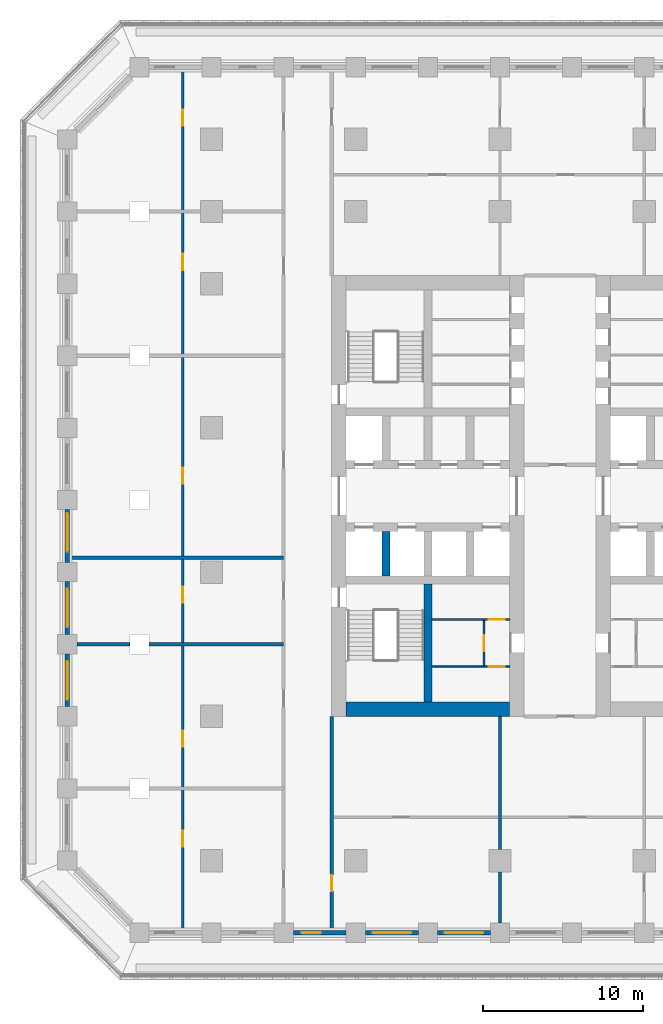
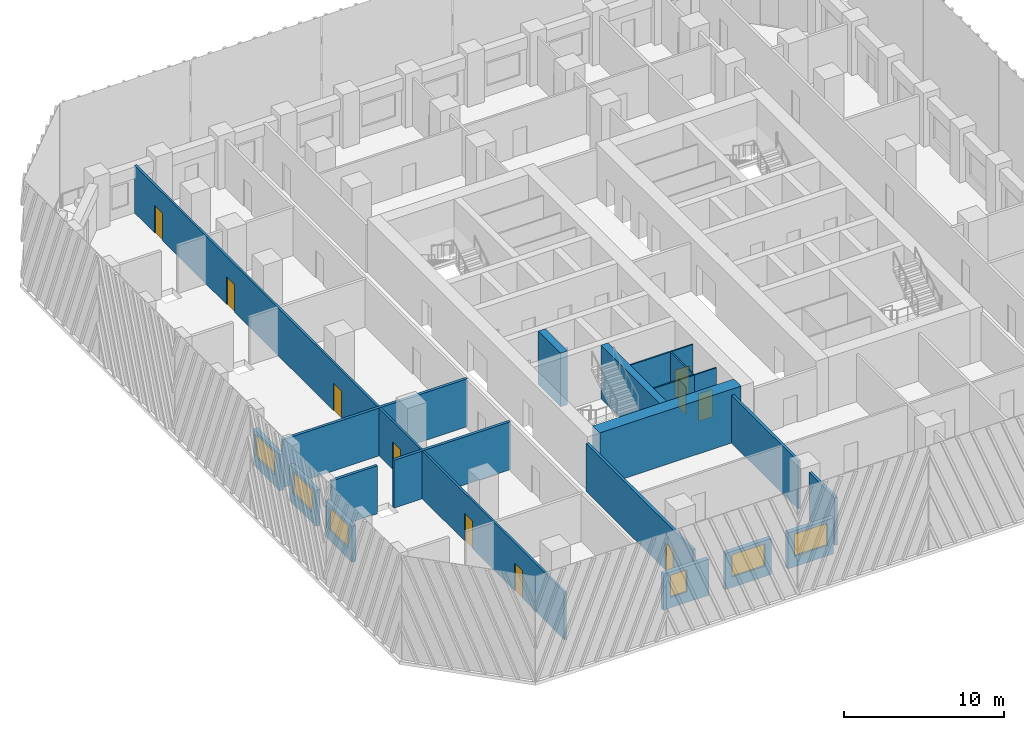
# One storey, part 3 of 19: 21 walls, 10 doors, 6 windows, 16 openings.
"""IFC4 building model written with IfcOpenShell, lengths in metres."""

from ifc_helpers import new_model, si_unit, direction, frame, frame_2d, origin, place, context, subcontext, project, spatial, rectangle, extrude, material, layer, layer_set, type_object, element, fill, save


model = new_model("IFC4")

# Units and contexts
model_context = context("Model", 3, precision=1e-05, world=origin(), true_north=direction((0.0, 1.0)))
body_context = subcontext(model_context, "Body", "Model", "MODEL_VIEW")
ifc_project = project(units=[si_unit("LENGTHUNIT", "METRE"), si_unit("AREAUNIT", "SQUARE_METRE"), si_unit("VOLUMEUNIT", "CUBIC_METRE"), si_unit("PLANEANGLEUNIT", "RADIAN"), si_unit("MASSUNIT", "GRAM", prefix="KILO")], contexts=[model_context])

# Site, building, storey
site_placement = place(None, origin())
site = spatial("IfcSite", under=ifc_project, at=site_placement, CompositionType="ELEMENT")
building_placement = place(site_placement, origin())
building = spatial("IfcBuilding", under=site, at=building_placement, Name="Corbel Stack Research Tower", CompositionType="ELEMENT")
storey_placement = place(building_placement, frame((0.0, 0.0, 116.699951171875)))
storey = spatial("IfcBuildingStorey", under=building, at=storey_placement, Name="L26", CompositionType="ELEMENT", Elevation=116.699951171875)

# Walls
ifc_material_1 = material(Name="Concrete C70/85", Category="concrete")
ifc_layer_1 = layer(ifc_material_1, 0.5)
ifc_layer_set_1 = layer_set([ifc_layer_1], Name="Concrete C70/85")
wall_type_1 = type_object("IfcWallType", Name="CW-500-70", PredefinedType="SHEAR", material=ifc_layer_set_1)
wall_1_placement = place(storey_placement, frame((-7.125, -0.25, 0.0), z_axis=(0.0, 0.0, 1.0), x_axis=(0.0, 1.0, 0.0)))
element("IfcWall", 1, at=wall_1_placement, inside=storey, type_object=wall_type_1, Name="West core wall, south shaft 1 L26", PredefinedType="SHEAR", context=body_context, shape_type="SweptSolid", body=[
    extrude(rectangle(XDim=2.800048828125, YDim=0.5, at=frame_2d((1.39990234375, 0.0))), origin(), (0.0, 0.0, 1.0), 4.10009765625),
])
wall_2_placement = place(storey_placement, frame((-4.5, -8.10009765625, 0.0), z_axis=(0.0, 0.0, 1.0), x_axis=(0.0, 1.0, 0.0)))
element("IfcWall", 2, at=wall_2_placement, inside=storey, type_object=wall_type_1, Name="West core wall, south stair and WC L26", PredefinedType="SHEAR", context=body_context, shape_type="SweptSolid", body=[
    extrude(rectangle(XDim=7.35009765625, YDim=0.5, at=frame_2d((3.675048828125, 0.0))), origin(), (0.0, 0.0, 1.0), 4.10009765625),
])
ifc_material_2 = material(Name="Concrete C70/85", Category="concrete")
ifc_layer_2 = layer(ifc_material_2, 0.89990234375)
ifc_layer_set_2 = layer_set([ifc_layer_2], Name="Concrete C70/85")
wall_type_2 = type_object("IfcWallType", Name="CW-900-70", PredefinedType="SHEAR", material=ifc_layer_set_2)
wall_3_placement = place(storey_placement, frame((-9.60009765625, -8.550048828125, 0.0), z_axis=(0.0, 0.0, 1.0), x_axis=(1.0, 0.0, 0.0)))
element("IfcWall", 3, at=wall_3_placement, inside=storey, type_object=wall_type_2, Name="West core wall, south end L26", PredefinedType="SHEAR", context=body_context, shape_type="SweptSolid", body=[
    extrude(rectangle(XDim=10.2001953125, YDim=0.89990234375, at=frame_2d((5.10009765625, 0.0))), origin(), (0.0, 0.0, 1.0), 4.10009765625),
])

# Wall, opening, door
ifc_material_3 = material(Name="Gypsum board")
ifc_layer_3 = layer(ifc_material_3, 0.10009765625)
ifc_layer_set_3 = layer_set([ifc_layer_3], Name="Gypsum board")
wall_type_3 = type_object("IfcWallType", Name="Core partition 100", PredefinedType="PARTITIONING", material=ifc_layer_set_3)
wall_4_placement = place(storey_placement, frame((-1.0, -5.89501953125, 0.0), z_axis=(0.0, 0.0, 1.0), x_axis=(1.0, 0.0, 0.0)))
wall_4 = element("IfcWall", 4, at=wall_4_placement, inside=storey, type_object=wall_type_3, Name="Core partition W", PredefinedType="PARTITIONING", context=body_context, shape_type="SweptSolid", body=[
    extrude(rectangle(XDim=1.60009765625, YDim=0.10009765625, at=frame_2d((0.800048828125, 0.0))), origin(), (0.0, 0.0, 1.0), 3.650146484375),
])
opening_1_placement = place(wall_4_placement, frame((0.300048828125, 0.0, 0.0)))
opening_1 = element("IfcOpeningElement", 5, at=opening_1_placement, cuts=wall_4, Name="Opening CR-W36-W2-1000", PredefinedType="OPENING", context=body_context, shape_type="SweptSolid", body=[
    extrude(rectangle(XDim=1.0, YDim=2.10009765625, at=frame_2d((0.5, 1.050048828125))), frame((0.0, 0.06005859375, 0.0), z_axis=(0.0, -1.0, 0.0), x_axis=(1.0, 0.0, 0.0)), (0.0, 0.0, 1.0), 0.1201171875),
])
ifc_material_4 = material(Name="Painted timber door", Category="wood")
door_type_1 = type_object("IfcDoorType", Name="WC door 1000 x 2100 right hand", OperationType="SINGLE_SWING_RIGHT", PredefinedType="DOOR", material=ifc_material_4)
door_1_placement = place(opening_1_placement, origin())
door_1 = element("IfcDoor", 6, at=door_1_placement, inside=storey, type_object=door_type_1, Name="Men's WC door W core", OperationType="SINGLE_SWING_RIGHT", OverallHeight=2.10009765625, OverallWidth=1.0, PredefinedType="DOOR", context=body_context, shape_type="SweptSolid", body=[
    extrude(rectangle(XDim=1.0, YDim=2.10009765625, at=frame_2d((0.5, 1.050048828125))), frame((0.0, 0.02490234375, 0.0), z_axis=(0.0, -1.0, 0.0), x_axis=(1.0, 0.0, 0.0)), (0.0, 0.0, 1.0), 0.050048828125),
])
fill(opening_1, door_1)

wall_5_placement = place(storey_placement, frame((-1.0, -2.955078125, 0.0), z_axis=(0.0, 0.0, 1.0), x_axis=(1.0, 0.0, 0.0)))
wall_5 = element("IfcWall", 7, at=wall_5_placement, inside=storey, type_object=wall_type_3, Name="Core partition W", PredefinedType="PARTITIONING", context=body_context, shape_type="SweptSolid", body=[
    extrude(rectangle(XDim=1.60009765625, YDim=0.10009765625, at=frame_2d((0.800048828125, 0.0))), origin(), (0.0, 0.0, 1.0), 3.650146484375),
])
opening_2_placement = place(wall_5_placement, frame((0.300048828125, 0.0, 0.0)))
opening_2 = element("IfcOpeningElement", 8, at=opening_2_placement, cuts=wall_5, Name="Opening CR-W36-W3-1000", PredefinedType="OPENING", context=body_context, shape_type="SweptSolid", body=[
    extrude(rectangle(XDim=1.0, YDim=2.10009765625, at=frame_2d((0.5, 1.050048828125))), frame((0.0, 0.06005859375, 0.0), z_axis=(0.0, -1.0, 0.0), x_axis=(1.0, 0.0, 0.0)), (0.0, 0.0, 1.0), 0.1201171875),
])
ifc_material_5 = material(Name="Painted timber door", Category="wood")
door_type_2 = type_object("IfcDoorType", Name="WC door 1000 x 2100 left hand", OperationType="SINGLE_SWING_LEFT", PredefinedType="DOOR", material=ifc_material_5)
door_2_placement = place(opening_2_placement, origin())
door_2 = element("IfcDoor", 9, at=door_2_placement, inside=storey, type_object=door_type_2, Name="Women's WC door W core", OperationType="SINGLE_SWING_LEFT", OverallHeight=2.10009765625, OverallWidth=1.0, PredefinedType="DOOR", context=body_context, shape_type="SweptSolid", body=[
    extrude(rectangle(XDim=1.0, YDim=2.10009765625, at=frame_2d((0.5, 1.050048828125))), frame((0.0, 0.02490234375, 0.0), z_axis=(0.0, -1.0, 0.0), x_axis=(1.0, 0.0, 0.0)), (0.0, 0.0, 1.0), 0.050048828125),
])
fill(opening_2, door_2)

wall_6_placement = place(storey_placement, frame((-1.0, -5.89501953125, 0.0), z_axis=(0.0, 0.0, 1.0), x_axis=(0.0, 1.0, 0.0)))
wall_6 = element("IfcWall", 10, at=wall_6_placement, inside=storey, type_object=wall_type_3, Name="Core partition W", PredefinedType="PARTITIONING", context=body_context, shape_type="SweptSolid", body=[
    extrude(rectangle(XDim=2.93994140625, YDim=0.10009765625, at=frame_2d((1.469970703125, 0.0))), origin(), (0.0, 0.0, 1.0), 3.650146484375),
])
opening_3_placement = place(wall_6_placement, frame((0.969970703125, 0.0, 0.0)))
opening_3 = element("IfcOpeningElement", 11, at=opening_3_placement, cuts=wall_6, Name="Opening CR-W36-W4-1000", PredefinedType="OPENING", context=body_context, shape_type="SweptSolid", body=[
    extrude(rectangle(XDim=1.0, YDim=2.10009765625, at=frame_2d((0.5, 1.050048828125))), frame((0.0, 0.06005859375, 0.0), z_axis=(0.0, -1.0, 0.0), x_axis=(1.0, 0.0, 0.0)), (0.0, 0.0, 1.0), 0.1201171875),
])
door_3_placement = place(opening_3_placement, origin())
door_3 = element("IfcDoor", 12, at=door_3_placement, inside=storey, type_object=door_type_1, Name="Accessible WC door W core", OperationType="SINGLE_SWING_RIGHT", OverallHeight=2.10009765625, OverallWidth=1.0, PredefinedType="DOOR", context=body_context, shape_type="SweptSolid", body=[
    extrude(rectangle(XDim=1.0, YDim=2.10009765625, at=frame_2d((0.5, 1.050048828125))), frame((0.0, 0.02490234375, 0.0), z_axis=(0.0, -1.0, 0.0), x_axis=(1.0, 0.0, 0.0)), (0.0, 0.0, 1.0), 0.050048828125),
])
fill(opening_3, door_3)

# Walls
for number, where, z_axis, x_axis, name in (
    (13, (-4.25, -5.89501953125, 0.0), (0.0, 0.0, 1.0), (1.0, 0.0, 0.0), "Core partition W"),
    (14, (-4.25, -2.955078125, 0.0), (0.0, 0.0, 1.0), (1.0, 0.0, 0.0), "Core partition W"),
):
    element("IfcWall", number, at=place(storey_placement, frame(where, z_axis=z_axis, x_axis=x_axis)), inside=storey, type_object=wall_type_3, Name=name, PredefinedType="PARTITIONING", context=body_context, shape_type="SweptSolid", body=[
        extrude(rectangle(XDim=3.25, YDim=0.10009765625, at=frame_2d((1.625, 0.0))), origin(), (0.0, 0.0, 1.0), 3.650146484375),
    ])

# Wall, opening, door
ifc_material_6 = material(Name="Fire-rated gypsum board partition on steel studs", Category="steel")
ifc_layer_4 = layer(ifc_material_6, 0.199951171875)
ifc_layer_set_4 = layer_set([ifc_layer_4], Name="Fire-rated gypsum board partition on steel studs")
wall_type_4 = type_object("IfcWallType", Name="Fire-rated partition 200 EI 60", PredefinedType="PARTITIONING", material=ifc_layer_set_4)
wall_7_placement = place(storey_placement, frame((-10.5, -9.0, 0.0), z_axis=(0.0, 0.0, 1.0), x_axis=(0.0, -1.0, 0.0)))
wall_7 = element("IfcWall", 15, at=wall_7_placement, inside=storey, type_object=wall_type_4, Name="Partition L26-003", PredefinedType="PARTITIONING", context=body_context, shape_type="SweptSolid", body=[
    extrude(rectangle(XDim=13.35009765625, YDim=0.199951171875, at=frame_2d((6.675048828125, 0.0))), origin(), (0.0, 0.0, 1.0), 3.650146484375),
])
opening_4_placement = place(wall_7_placement, frame((9.89990234375, 0.0, 0.0)))
opening_4 = element("IfcOpeningElement", 16, at=opening_4_placement, cuts=wall_7, Name="Opening B4V0H-017", PredefinedType="OPENING", context=body_context, shape_type="SweptSolid", body=[
    extrude(rectangle(XDim=1.0, YDim=2.10009765625, at=frame_2d((0.5, 1.050048828125))), frame((0.0, 0.10986328125, 0.0), z_axis=(0.0, -1.0, 0.0), x_axis=(1.0, 0.0, 0.0)), (0.0, 0.0, 1.0), 0.219970703125),
])
ifc_material_7 = material(Name="Painted steel fire door", Category="steel")
door_type_3 = type_object("IfcDoorType", Name="Fire door FD30S 1000 x 2100", OperationType="NOTDEFINED", PredefinedType="DOOR", material=ifc_material_7)
door_4_placement = place(opening_4_placement, origin())
door_4 = element("IfcDoor", 17, at=door_4_placement, inside=storey, type_object=door_type_3, Name="Door B4V0H-017", OperationType="SINGLE_SWING_RIGHT", OverallHeight=2.10009765625, OverallWidth=1.0, PredefinedType="DOOR", context=body_context, shape_type="SweptSolid", body=[
    extrude(rectangle(XDim=1.0, YDim=2.10009765625, at=frame_2d((0.5, 1.050048828125))), frame((0.0, 0.02490234375, 0.0), z_axis=(0.0, -1.0, 0.0), x_axis=(1.0, 0.0, 0.0)), (0.0, 0.0, 1.0), 0.050048828125),
])
fill(opening_4, door_4)

# Walls
wall_8_placement = place(storey_placement, frame((0.0, -21.89990234375, 0.0), z_axis=(0.0, 0.0, 1.0), x_axis=(0.0, 1.0, 0.0)))
element("IfcWall", 18, at=wall_8_placement, inside=storey, type_object=wall_type_4, Name="Partition L26-008", PredefinedType="PARTITIONING", context=body_context, shape_type="SweptSolid", body=[
    extrude(rectangle(XDim=3.199951171875, YDim=0.199951171875, at=frame_2d((1.60009765625, 0.0))), origin(), (0.0, 0.0, 1.0), 3.650146484375),
])
wall_9_placement = place(storey_placement, frame((0.0, -17.300048828125, 0.0), z_axis=(0.0, 0.0, 1.0), x_axis=(0.0, 1.0, 0.0)))
element("IfcWall", 19, at=wall_9_placement, inside=storey, type_object=wall_type_4, Name="Partition L26-009", PredefinedType="PARTITIONING", context=body_context, shape_type="SweptSolid", body=[
    extrude(rectangle(XDim=8.300048828125, YDim=0.199951171875, at=frame_2d((4.14990234375, 0.0))), origin(), (0.0, 0.0, 1.0), 3.650146484375),
])
wall_10_placement = place(storey_placement, frame((-26.39990234375, -4.5, 0.0), z_axis=(0.0, 0.0, 1.0), x_axis=(1.0, 0.0, 0.0)))
element("IfcWall", 20, at=wall_10_placement, inside=storey, type_object=wall_type_4, Name="Partition L26-028", PredefinedType="PARTITIONING", context=body_context, shape_type="SweptSolid", body=[
    extrude(rectangle(XDim=3.2998046875, YDim=0.199951171875, at=frame_2d((1.64990234375, 0.0))), origin(), (0.0, 0.0, 1.0), 3.650146484375),
])
wall_11_placement = place(storey_placement, frame((-21.89990234375, -4.5, 0.0), z_axis=(0.0, 0.0, 1.0), x_axis=(1.0, 0.0, 0.0)))
element("IfcWall", 21, at=wall_11_placement, inside=storey, type_object=wall_type_4, Name="Partition L26-029", PredefinedType="PARTITIONING", context=body_context, shape_type="SweptSolid", body=[
    extrude(rectangle(XDim=8.39990234375, YDim=0.199951171875, at=frame_2d((4.199951171875, 0.0))), origin(), (0.0, 0.0, 1.0), 3.650146484375),
])
wall_12_placement = place(storey_placement, frame((-26.85009765625, 0.89990234375, 0.0), z_axis=(0.0, 0.0, 1.0), x_axis=(1.0, 0.0, 0.0)))
element("IfcWall", 22, at=wall_12_placement, inside=storey, type_object=wall_type_4, Name="Partition L26-033", PredefinedType="PARTITIONING", context=body_context, shape_type="SweptSolid", body=[
    extrude(rectangle(XDim=13.35009765625, YDim=0.199951171875, at=frame_2d((6.675048828125, 0.0))), origin(), (0.0, 0.0, 1.0), 3.650146484375),
])

# Wall, openings, doors
ifc_material_8 = material(Name="Gypsum board partition on steel studs", Category="steel")
ifc_layer_5 = layer(ifc_material_8, 0.14990234375)
ifc_layer_set_5 = layer_set([ifc_layer_5], Name="Gypsum board partition on steel studs")
wall_type_5 = type_object("IfcWallType", Name="Partition 150", PredefinedType="PARTITIONING", material=ifc_layer_set_5)
wall_13_placement = place(storey_placement, frame((-19.800048828125, -22.35009765625, 0.0), z_axis=(0.0, 0.0, 1.0), x_axis=(0.0, 1.0, 0.0)))
wall_13 = element("IfcWall", 23, at=wall_13_placement, inside=storey, type_object=wall_type_5, Name="Partition L26-001", PredefinedType="PARTITIONING", context=body_context, shape_type="SweptSolid", body=[
    extrude(rectangle(XDim=53.7001953125, YDim=0.14990234375, at=frame_2d((26.85009765625, 0.0))), origin(), (0.0, 0.0, 1.0), 3.650146484375),
])
opening_5_placement = place(wall_13_placement, frame((5.199951171875, 0.0, 0.0)))
opening_5 = element("IfcOpeningElement", 24, at=opening_5_placement, cuts=wall_13, Name="Opening B4V0H-001", PredefinedType="OPENING", context=body_context, shape_type="SweptSolid", body=[
    extrude(rectangle(XDim=1.0, YDim=2.10009765625, at=frame_2d((0.5, 1.050048828125))), frame((0.0, 0.0849609375, 0.0), z_axis=(0.0, -1.0, 0.0), x_axis=(1.0, 0.0, 0.0)), (0.0, 0.0, 1.0), 0.169921875),
])
opening_6_placement = place(wall_13_placement, frame((11.449951171875, 0.0, 0.0)))
opening_6 = element("IfcOpeningElement", 25, at=opening_6_placement, cuts=wall_13, Name="Opening B4V0H-002", PredefinedType="OPENING", context=body_context, shape_type="SweptSolid", body=[
    extrude(rectangle(XDim=1.0, YDim=2.10009765625, at=frame_2d((0.5, 1.050048828125))), frame((0.0, 0.0849609375, 0.0), z_axis=(0.0, -1.0, 0.0), x_axis=(1.0, 0.0, 0.0)), (0.0, 0.0, 1.0), 0.169921875),
])
opening_7_placement = place(wall_13_placement, frame((20.449951171875, 0.0, 0.0)))
opening_7 = element("IfcOpeningElement", 26, at=opening_7_placement, cuts=wall_13, Name="Opening B4V0H-003", PredefinedType="OPENING", context=body_context, shape_type="SweptSolid", body=[
    extrude(rectangle(XDim=1.0, YDim=2.10009765625, at=frame_2d((0.5, 1.050048828125))), frame((0.0, 0.0849609375, 0.0), z_axis=(0.0, -1.0, 0.0), x_axis=(1.0, 0.0, 0.0)), (0.0, 0.0, 1.0), 0.169921875),
])
opening_8_placement = place(wall_13_placement, frame((27.85009765625, 0.0, 0.0)))
opening_8 = element("IfcOpeningElement", 27, at=opening_8_placement, cuts=wall_13, Name="Opening B4V0H-004", PredefinedType="OPENING", context=body_context, shape_type="SweptSolid", body=[
    extrude(rectangle(XDim=1.0, YDim=2.10009765625, at=frame_2d((0.5, 1.050048828125))), frame((0.0, 0.0849609375, 0.0), z_axis=(0.0, -1.0, 0.0), x_axis=(1.0, 0.0, 0.0)), (0.0, 0.0, 1.0), 0.169921875),
])
opening_9_placement = place(wall_13_placement, frame((41.199951171875, 0.0, 0.0)))
opening_9 = element("IfcOpeningElement", 28, at=opening_9_placement, cuts=wall_13, Name="Opening B4V0H-005", PredefinedType="OPENING", context=body_context, shape_type="SweptSolid", body=[
    extrude(rectangle(XDim=1.0, YDim=2.10009765625, at=frame_2d((0.5, 1.050048828125))), frame((0.0, 0.0849609375, 0.0), z_axis=(0.0, -1.0, 0.0), x_axis=(1.0, 0.0, 0.0)), (0.0, 0.0, 1.0), 0.169921875),
])
opening_10_placement = place(wall_13_placement, frame((50.199951171875, 0.0, 0.0)))
opening_10 = element("IfcOpeningElement", 29, at=opening_10_placement, cuts=wall_13, Name="Opening B4V0H-006", PredefinedType="OPENING", context=body_context, shape_type="SweptSolid", body=[
    extrude(rectangle(XDim=1.0, YDim=2.10009765625, at=frame_2d((0.5, 1.050048828125))), frame((0.0, 0.0849609375, 0.0), z_axis=(0.0, -1.0, 0.0), x_axis=(1.0, 0.0, 0.0)), (0.0, 0.0, 1.0), 0.169921875),
])
ifc_material_9 = material(Name="Painted timber door", Category="wood")
door_type_4 = type_object("IfcDoorType", Name="Single door 1000 x 2100", OperationType="NOTDEFINED", PredefinedType="DOOR", material=ifc_material_9)
door_5_placement = place(opening_5_placement, origin())
door_5 = element("IfcDoor", 30, at=door_5_placement, inside=storey, type_object=door_type_4, Name="Door B4V0H-001", OperationType="SINGLE_SWING_LEFT", OverallHeight=2.10009765625, OverallWidth=1.0, PredefinedType="DOOR", context=body_context, shape_type="SweptSolid", body=[
    extrude(rectangle(XDim=1.0, YDim=2.10009765625, at=frame_2d((0.5, 1.050048828125))), frame((0.0, 0.02490234375, 0.0), z_axis=(0.0, -1.0, 0.0), x_axis=(1.0, 0.0, 0.0)), (0.0, 0.0, 1.0), 0.050048828125),
])
fill(opening_5, door_5)
door_6_placement = place(opening_6_placement, origin())
door_6 = element("IfcDoor", 31, at=door_6_placement, inside=storey, type_object=door_type_4, Name="Door B4V0H-002", OperationType="SINGLE_SWING_LEFT", OverallHeight=2.10009765625, OverallWidth=1.0, PredefinedType="DOOR", context=body_context, shape_type="SweptSolid", body=[
    extrude(rectangle(XDim=1.0, YDim=2.10009765625, at=frame_2d((0.5, 1.050048828125))), frame((0.0, 0.02490234375, 0.0), z_axis=(0.0, -1.0, 0.0), x_axis=(1.0, 0.0, 0.0)), (0.0, 0.0, 1.0), 0.050048828125),
])
fill(opening_6, door_6)
door_7_placement = place(opening_7_placement, origin())
door_7 = element("IfcDoor", 32, at=door_7_placement, inside=storey, type_object=door_type_4, Name="Door B4V0H-003", OperationType="SINGLE_SWING_LEFT", OverallHeight=2.10009765625, OverallWidth=1.0, PredefinedType="DOOR", context=body_context, shape_type="SweptSolid", body=[
    extrude(rectangle(XDim=1.0, YDim=2.10009765625, at=frame_2d((0.5, 1.050048828125))), frame((0.0, 0.02490234375, 0.0), z_axis=(0.0, -1.0, 0.0), x_axis=(1.0, 0.0, 0.0)), (0.0, 0.0, 1.0), 0.050048828125),
])
fill(opening_7, door_7)
door_8_placement = place(opening_8_placement, origin())
door_8 = element("IfcDoor", 33, at=door_8_placement, inside=storey, type_object=door_type_4, Name="Door B4V0H-004", OperationType="SINGLE_SWING_RIGHT", OverallHeight=2.10009765625, OverallWidth=1.0, PredefinedType="DOOR", context=body_context, shape_type="SweptSolid", body=[
    extrude(rectangle(XDim=1.0, YDim=2.10009765625, at=frame_2d((0.5, 1.050048828125))), frame((0.0, 0.02490234375, 0.0), z_axis=(0.0, -1.0, 0.0), x_axis=(1.0, 0.0, 0.0)), (0.0, 0.0, 1.0), 0.050048828125),
])
fill(opening_8, door_8)
door_9_placement = place(opening_9_placement, origin())
door_9 = element("IfcDoor", 34, at=door_9_placement, inside=storey, type_object=door_type_4, Name="Door B4V0H-005", OperationType="SINGLE_SWING_RIGHT", OverallHeight=2.10009765625, OverallWidth=1.0, PredefinedType="DOOR", context=body_context, shape_type="SweptSolid", body=[
    extrude(rectangle(XDim=1.0, YDim=2.10009765625, at=frame_2d((0.5, 1.050048828125))), frame((0.0, 0.02490234375, 0.0), z_axis=(0.0, -1.0, 0.0), x_axis=(1.0, 0.0, 0.0)), (0.0, 0.0, 1.0), 0.050048828125),
])
fill(opening_9, door_9)
door_10_placement = place(opening_10_placement, origin())
door_10 = element("IfcDoor", 35, at=door_10_placement, inside=storey, type_object=door_type_4, Name="Door B4V0H-006", OperationType="SINGLE_SWING_RIGHT", OverallHeight=2.10009765625, OverallWidth=1.0, PredefinedType="DOOR", context=body_context, shape_type="SweptSolid", body=[
    extrude(rectangle(XDim=1.0, YDim=2.10009765625, at=frame_2d((0.5, 1.050048828125))), frame((0.0, 0.02490234375, 0.0), z_axis=(0.0, -1.0, 0.0), x_axis=(1.0, 0.0, 0.0)), (0.0, 0.0, 1.0), 0.050048828125),
])
fill(opening_10, door_10)

# Wall, opening, window
ifc_material_10 = material(Name="Concrete C45/55", Category="concrete")
ifc_layer_6 = layer(ifc_material_10, 0.300048828125)
ifc_layer_set_6 = layer_set([ifc_layer_6], Name="Concrete C45/55")
wall_type_6 = type_object("IfcWallType", Name="Terracotta-faced concrete wall 300", PredefinedType="SOLIDWALL", material=ifc_layer_set_6)
wall_14_placement = place(storey_placement, frame((-9.60009765625, -22.5, 0.0), z_axis=(0.0, 0.0, 1.0), x_axis=(-1.0, 0.0, 0.0)))
wall_14 = element("IfcWall", 36, at=wall_14_placement, inside=storey, type_object=wall_type_6, Name="Facade wall L26 S03", PredefinedType="SOLIDWALL", context=body_context, shape_type="SweptSolid", body=[
    extrude(rectangle(XDim=3.2998046875, YDim=0.300048828125, at=frame_2d((1.64990234375, 0.0))), origin(), (0.0, 0.0, 1.0), 2.75),
])
opening_11_placement = place(wall_14_placement, frame((1.574951171875, 0.0, 0.800048828125)))
opening_11 = element("IfcOpeningElement", 37, at=opening_11_placement, cuts=wall_14, Name="Opening W2", PredefinedType="OPENING", context=body_context, shape_type="SweptSolid", body=[
    extrude(rectangle(XDim=1.199951171875, YDim=1.699951171875, at=frame_2d((0.60009765625, 0.85009765625))), frame((0.0, 0.159912109375, 0.0), z_axis=(0.0, -1.0, 0.0), x_axis=(1.0, 0.0, 0.0)), (0.0, 0.0, 1.0), 0.320068359375),
])
ifc_material_11 = material(Name="Aluminium frame, clear double glazing", Category="aluminium")
window_type_1 = type_object("IfcWindowType", Name="Window W2 1200 x 1700", PartitioningType="SINGLE_PANEL", PredefinedType="WINDOW", material=ifc_material_11)
window_1_placement = place(opening_11_placement, origin())
window_1 = element("IfcWindow", 38, at=window_1_placement, inside=storey, type_object=window_type_1, Name="Window W2 L26 S03", OverallHeight=1.699951171875, OverallWidth=1.199951171875, PartitioningType="SINGLE_PANEL", PredefinedType="WINDOW", context=body_context, shape_type="SweptSolid", body=[
    extrude(rectangle(XDim=1.199951171875, YDim=1.699951171875, at=frame_2d((0.60009765625, 0.85009765625))), frame((0.0, 0.030029296875, 0.0), z_axis=(0.0, -1.0, 0.0), x_axis=(1.0, 0.0, 0.0)), (0.0, 0.0, 1.0), 0.06005859375),
])
fill(opening_11, window_1)

wall_15_placement = place(storey_placement, frame((-5.10009765625, -22.5, 0.0), z_axis=(0.0, 0.0, 1.0), x_axis=(-1.0, 0.0, 0.0)))
wall_15 = element("IfcWall", 39, at=wall_15_placement, inside=storey, type_object=wall_type_6, Name="Facade wall L26 S04", PredefinedType="SOLIDWALL", context=body_context, shape_type="SweptSolid", body=[
    extrude(rectangle(XDim=3.2998046875, YDim=0.300048828125, at=frame_2d((1.64990234375, 0.0))), origin(), (0.0, 0.0, 1.0), 2.75),
])
opening_12_placement = place(wall_15_placement, frame((0.449951171875, 0.0, 0.800048828125)))
opening_12 = element("IfcOpeningElement", 40, at=opening_12_placement, cuts=wall_15, Name="Opening W1", PredefinedType="OPENING", context=body_context, shape_type="SweptSolid", body=[
    extrude(rectangle(XDim=2.39990234375, YDim=1.699951171875, at=frame_2d((1.199951171875, 0.85009765625))), frame((0.0, 0.159912109375, 0.0), z_axis=(0.0, -1.0, 0.0), x_axis=(1.0, 0.0, 0.0)), (0.0, 0.0, 1.0), 0.320068359375),
])
ifc_material_12 = material(Name="Aluminium frame, clear double glazing", Category="aluminium")
window_type_2 = type_object("IfcWindowType", Name="Window W1 2400 x 1700", PartitioningType="SINGLE_PANEL", PredefinedType="WINDOW", material=ifc_material_12)
window_2_placement = place(opening_12_placement, origin())
window_2 = element("IfcWindow", 41, at=window_2_placement, inside=storey, type_object=window_type_2, Name="Window W1 L26 S04", OverallHeight=1.699951171875, OverallWidth=2.39990234375, PartitioningType="SINGLE_PANEL", PredefinedType="WINDOW", context=body_context, shape_type="SweptSolid", body=[
    extrude(rectangle(XDim=2.39990234375, YDim=1.699951171875, at=frame_2d((1.199951171875, 0.85009765625))), frame((0.0, 0.030029296875, 0.0), z_axis=(0.0, -1.0, 0.0), x_axis=(1.0, 0.0, 0.0)), (0.0, 0.0, 1.0), 0.06005859375),
])
fill(opening_12, window_2)

wall_16_placement = place(storey_placement, frame((-0.60009765625, -22.5, 0.0), z_axis=(0.0, 0.0, 1.0), x_axis=(-1.0, 0.0, 0.0)))
wall_16 = element("IfcWall", 42, at=wall_16_placement, inside=storey, type_object=wall_type_6, Name="Facade wall L26 S05", PredefinedType="SOLIDWALL", context=body_context, shape_type="SweptSolid", body=[
    extrude(rectangle(XDim=3.2998046875, YDim=0.300048828125, at=frame_2d((1.64990234375, 0.0))), origin(), (0.0, 0.0, 1.0), 2.75),
])
opening_13_placement = place(wall_16_placement, frame((0.449951171875, 0.0, 0.800048828125)))
opening_13 = element("IfcOpeningElement", 43, at=opening_13_placement, cuts=wall_16, Name="Opening W1", PredefinedType="OPENING", context=body_context, shape_type="SweptSolid", body=[
    extrude(rectangle(XDim=2.39990234375, YDim=1.699951171875, at=frame_2d((1.199951171875, 0.85009765625))), frame((0.0, 0.159912109375, 0.0), z_axis=(0.0, -1.0, 0.0), x_axis=(1.0, 0.0, 0.0)), (0.0, 0.0, 1.0), 0.320068359375),
])
window_3_placement = place(opening_13_placement, origin())
window_3 = element("IfcWindow", 44, at=window_3_placement, inside=storey, type_object=window_type_2, Name="Window W1 L26 S05", OverallHeight=1.699951171875, OverallWidth=2.39990234375, PartitioningType="SINGLE_PANEL", PredefinedType="WINDOW", context=body_context, shape_type="SweptSolid", body=[
    extrude(rectangle(XDim=2.39990234375, YDim=1.699951171875, at=frame_2d((1.199951171875, 0.85009765625))), frame((0.0, 0.030029296875, 0.0), z_axis=(0.0, -1.0, 0.0), x_axis=(1.0, 0.0, 0.0)), (0.0, 0.0, 1.0), 0.06005859375),
])
fill(opening_13, window_3)

wall_17_placement = place(storey_placement, frame((-27.0, 0.60009765625, 0.0), z_axis=(0.0, 0.0, 1.0), x_axis=(0.0, 1.0, 0.0)))
wall_17 = element("IfcWall", 45, at=wall_17_placement, inside=storey, type_object=wall_type_6, Name="Facade wall L26 W06", PredefinedType="SOLIDWALL", context=body_context, shape_type="SweptSolid", body=[
    extrude(rectangle(XDim=3.2998046875, YDim=0.300048828125, at=frame_2d((1.64990234375, 0.0))), origin(), (0.0, 0.0, 1.0), 2.75),
])
opening_14_placement = place(wall_17_placement, frame((0.675048828125, 0.0, 0.800048828125)))
opening_14 = element("IfcOpeningElement", 46, at=opening_14_placement, cuts=wall_17, Name="Opening W1", PredefinedType="OPENING", context=body_context, shape_type="SweptSolid", body=[
    extrude(rectangle(XDim=2.39990234375, YDim=1.699951171875, at=frame_2d((1.199951171875, 0.85009765625))), frame((0.0, 0.159912109375, 0.0), z_axis=(0.0, -1.0, 0.0), x_axis=(1.0, 0.0, 0.0)), (0.0, 0.0, 1.0), 0.320068359375),
])
window_4_placement = place(opening_14_placement, origin())
window_4 = element("IfcWindow", 47, at=window_4_placement, inside=storey, type_object=window_type_2, Name="Window W1 L26 W06", OverallHeight=1.699951171875, OverallWidth=2.39990234375, PartitioningType="SINGLE_PANEL", PredefinedType="WINDOW", context=body_context, shape_type="SweptSolid", body=[
    extrude(rectangle(XDim=2.39990234375, YDim=1.699951171875, at=frame_2d((1.199951171875, 0.85009765625))), frame((0.0, 0.030029296875, 0.0), z_axis=(0.0, -1.0, 0.0), x_axis=(1.0, 0.0, 0.0)), (0.0, 0.0, 1.0), 0.06005859375),
])
fill(opening_14, window_4)

wall_18_placement = place(storey_placement, frame((-27.0, -3.89990234375, 0.0), z_axis=(0.0, 0.0, 1.0), x_axis=(0.0, 1.0, 0.0)))
wall_18 = element("IfcWall", 48, at=wall_18_placement, inside=storey, type_object=wall_type_6, Name="Facade wall L26 W07", PredefinedType="SOLIDWALL", context=body_context, shape_type="SweptSolid", body=[
    extrude(rectangle(XDim=3.2998046875, YDim=0.300048828125, at=frame_2d((1.64990234375, 0.0))), origin(), (0.0, 0.0, 1.0), 2.75),
])
opening_15_placement = place(wall_18_placement, frame((0.449951171875, 0.0, 0.800048828125)))
opening_15 = element("IfcOpeningElement", 49, at=opening_15_placement, cuts=wall_18, Name="Opening W1", PredefinedType="OPENING", context=body_context, shape_type="SweptSolid", body=[
    extrude(rectangle(XDim=2.39990234375, YDim=1.699951171875, at=frame_2d((1.199951171875, 0.85009765625))), frame((0.0, 0.159912109375, 0.0), z_axis=(0.0, -1.0, 0.0), x_axis=(1.0, 0.0, 0.0)), (0.0, 0.0, 1.0), 0.320068359375),
])
window_5_placement = place(opening_15_placement, origin())
window_5 = element("IfcWindow", 50, at=window_5_placement, inside=storey, type_object=window_type_2, Name="Window W1 L26 W07", OverallHeight=1.699951171875, OverallWidth=2.39990234375, PartitioningType="SINGLE_PANEL", PredefinedType="WINDOW", context=body_context, shape_type="SweptSolid", body=[
    extrude(rectangle(XDim=2.39990234375, YDim=1.699951171875, at=frame_2d((1.199951171875, 0.85009765625))), frame((0.0, 0.030029296875, 0.0), z_axis=(0.0, -1.0, 0.0), x_axis=(1.0, 0.0, 0.0)), (0.0, 0.0, 1.0), 0.06005859375),
])
fill(opening_15, window_5)

wall_19_placement = place(storey_placement, frame((-27.0, -8.39990234375, 0.0), z_axis=(0.0, 0.0, 1.0), x_axis=(0.0, 1.0, 0.0)))
wall_19 = element("IfcWall", 51, at=wall_19_placement, inside=storey, type_object=wall_type_6, Name="Facade wall L26 W08", PredefinedType="SOLIDWALL", context=body_context, shape_type="SweptSolid", body=[
    extrude(rectangle(XDim=3.2998046875, YDim=0.300048828125, at=frame_2d((1.64990234375, 0.0))), origin(), (0.0, 0.0, 1.0), 2.75),
])
opening_16_placement = place(wall_19_placement, frame((0.449951171875, 0.0, 0.800048828125)))
opening_16 = element("IfcOpeningElement", 52, at=opening_16_placement, cuts=wall_19, Name="Opening W1", PredefinedType="OPENING", context=body_context, shape_type="SweptSolid", body=[
    extrude(rectangle(XDim=2.39990234375, YDim=1.699951171875, at=frame_2d((1.199951171875, 0.85009765625))), frame((0.0, 0.159912109375, 0.0), z_axis=(0.0, -1.0, 0.0), x_axis=(1.0, 0.0, 0.0)), (0.0, 0.0, 1.0), 0.320068359375),
])
window_6_placement = place(opening_16_placement, origin())
window_6 = element("IfcWindow", 53, at=window_6_placement, inside=storey, type_object=window_type_2, Name="Window W1 L26 W08", OverallHeight=1.699951171875, OverallWidth=2.39990234375, PartitioningType="SINGLE_PANEL", PredefinedType="WINDOW", context=body_context, shape_type="SweptSolid", body=[
    extrude(rectangle(XDim=2.39990234375, YDim=1.699951171875, at=frame_2d((1.199951171875, 0.85009765625))), frame((0.0, 0.030029296875, 0.0), z_axis=(0.0, -1.0, 0.0), x_axis=(1.0, 0.0, 0.0)), (0.0, 0.0, 1.0), 0.06005859375),
])
fill(opening_16, window_6)

save(model, "model.ifc")
